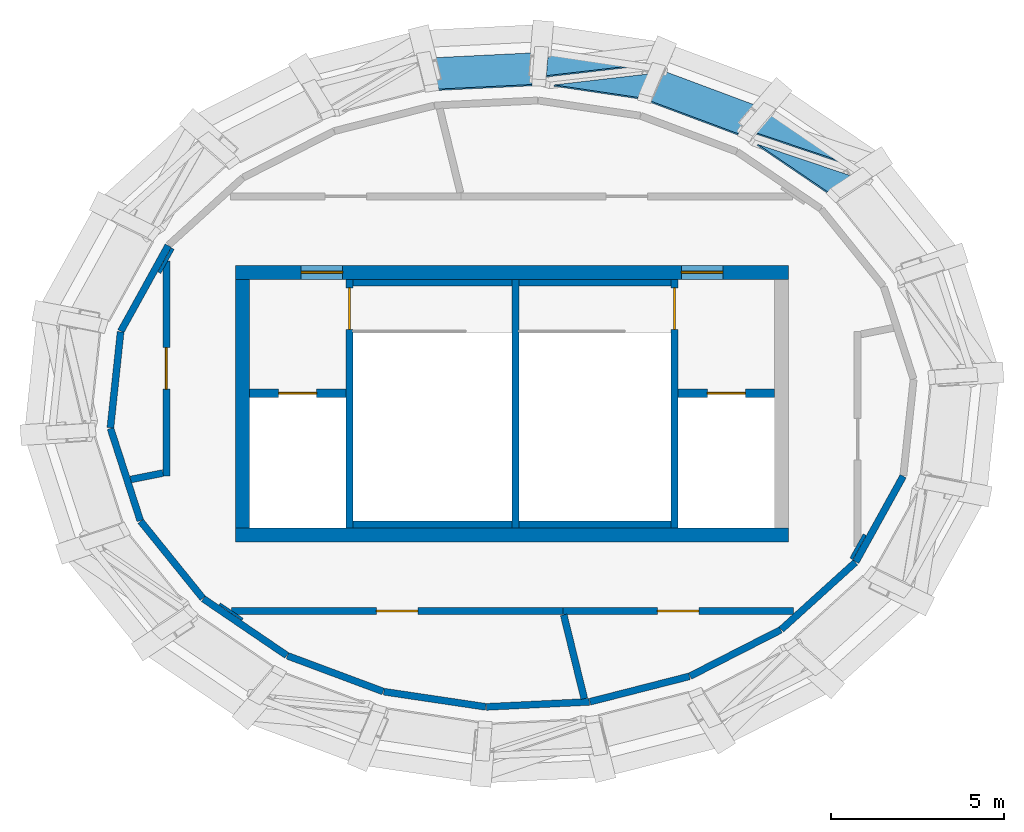
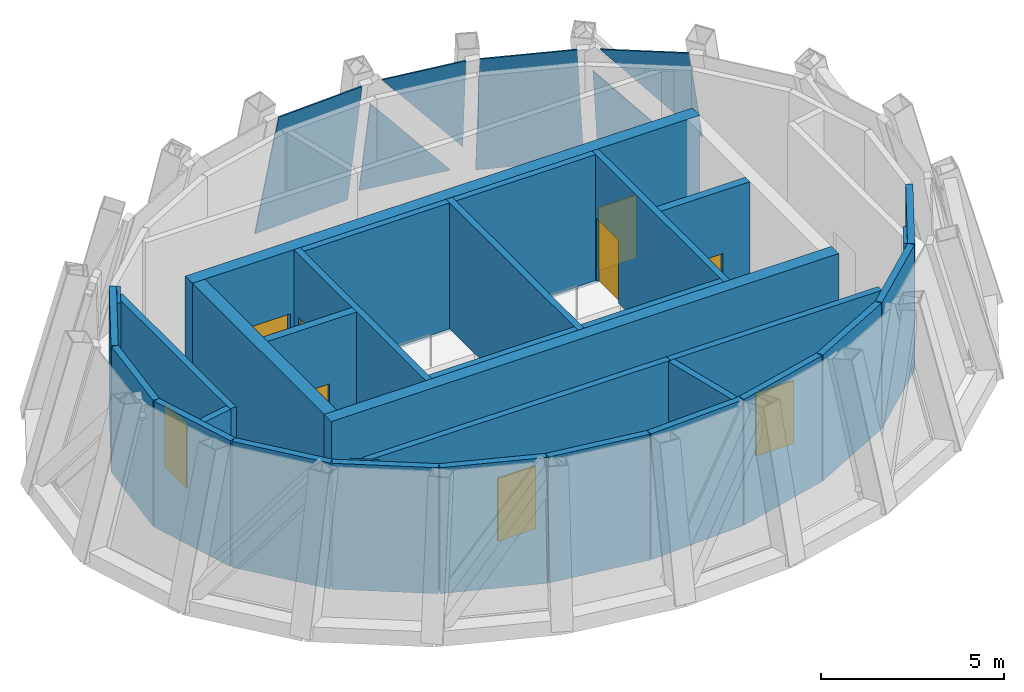
# One storey, part 4 of 6: 30 walls, 9 doors, 6 plates, 9 openings, 1 element without a shape of its own.
"""IFC4 building model written with IfcOpenShell, lengths in metres."""

from ifc_helpers import new_model, si_unit, direction, frame, frame_2d, origin, place, context, subcontext, project, spatial, polyline, rectangle, outline, extrude, source, transform, mapped, material, layer, layer_set, type_object, element, fill, aggregate, save


model = new_model("IFC4")

# Units and contexts
model_context = context("Model", 3, precision=1e-05, world=origin(), true_north=direction((0.0, 1.0)))
body_context = subcontext(model_context, "Body", "Model", "MODEL_VIEW")
ifc_project = project(units=[si_unit("LENGTHUNIT", "METRE"), si_unit("AREAUNIT", "SQUARE_METRE"), si_unit("VOLUMEUNIT", "CUBIC_METRE"), si_unit("PLANEANGLEUNIT", "RADIAN"), si_unit("MASSUNIT", "GRAM", prefix="KILO")], contexts=[model_context])

# Site, building, storey
site_placement = place(None, origin())
site = spatial("IfcSite", under=ifc_project, at=site_placement, CompositionType="ELEMENT")
building_placement = place(site_placement, origin())
building = spatial("IfcBuilding", under=site, at=building_placement, Name="Embergate Tower", CompositionType="ELEMENT")
storey_placement = place(building_placement, frame((0.0, 0.0, 370.0)))
storey = spatial("IfcBuildingStorey", under=building, at=storey_placement, Name="L84", CompositionType="ELEMENT", Elevation=370.0)

# Curtain wall, plates
ifc_material_1 = material(Name="Aluminium and glass", Category="aluminium")
curtain_wall_type = type_object("IfcCurtainWallType", Name="Crown facet glazing", PredefinedType="NOTDEFINED", material=ifc_material_1)
curtain_wall_placement = place(storey_placement, origin())
curtain_wall = element("IfcCurtainWall", 1, at=curtain_wall_placement, inside=storey, type_object=curtain_wall_type, Name="Crown facet glazing L84", ObjectType="CROWN FACET GLAZING", PredefinedType="USERDEFINED")
ifc_material_2 = material(Name="Triple glazing, low-emissivity coating", Category="glass")
ifc_layer_1 = layer(ifc_material_2, 0.0400390625)
ifc_layer_set_1 = layer_set([ifc_layer_1], Name="Triple glazing, low-emissivity coating")
plate_type = type_object("IfcPlateType", Name="Crown facet glazing unit", PredefinedType="CURTAIN_PANEL", material=ifc_layer_set_1)
shared_shape_1 = source(origin(), body_context, "Body", "SweptSolid", [
    extrude(outline(polyline([(0.0, 0.0), (2.658935546875, 0.0), (2.7421875, 3.4091796875), (0.0, 0.0)])), origin(), (0.0, 0.0, -1.0), 0.0400390625),
])
plate_1_placement = place(storey_placement, frame((9.769287109375, 6.925537109375, 0.148193359375), z_axis=(0.548104233355, 0.805825081039, 0.22411534563), x_axis=(-0.826858181918, 0.562410479095, 0.0)))
plate_1 = element("IfcPlate", 2, at=plate_1_placement, type_object=plate_type, Name="CW panel 3.1", PredefinedType="CURTAIN_PANEL", context=body_context, shape_type="MappedRepresentation", body=[
    mapped(shared_shape_1, transform((0.0, 0.0, 0.0))),
])
shared_shape_2 = source(origin(), body_context, "Body", "SweptSolid", [
    extrude(outline(polyline([(0.0, 0.0), (4.390869140625, 0.0), (2.862548828125, 1.900146484375), (0.0, 0.0)])), origin(), (0.0, 0.0, -1.0), 0.0400390625),
])
plate_2_placement = place(storey_placement, frame((9.819580078125, 6.58935546875, 1.0341796875), z_axis=(0.547913658666, 0.806013681315, 0.223903032984), x_axis=(-0.616419043189, 0.208067838681, 0.759430930171)))
plate_2 = element("IfcPlate", 3, at=plate_2_placement, type_object=plate_type, Name="CW panel 3.2", PredefinedType="CURTAIN_PANEL", context=body_context, shape_type="MappedRepresentation", body=[
    mapped(shared_shape_2, transform((0.0, 0.0, 0.0))),
])
shared_shape_3 = source(origin(), body_context, "Body", "SweptSolid", [
    extrude(outline(polyline([(0.0, 0.0), (2.9990234375, 0.0), (3.042236328125, 4.456298828125), (0.343994140625, 4.456298828125), (0.0, 0.0)])), origin(), (0.0, 0.0, -1.0), 0.0400390625),
])
plate_3_placement = place(storey_placement, frame((7.208740234375, 8.572509765625, 0.016357421875), z_axis=(0.341645847231, 0.915522098768, 0.212361488356), x_axis=(-0.936891272849, 0.349620855859, -2.858588e-06)))
plate_3 = element("IfcPlate", 4, at=plate_3_placement, type_object=plate_type, Name="CW panel 4.1", PredefinedType="CURTAIN_PANEL", context=body_context, shape_type="MappedRepresentation", body=[
    mapped(shared_shape_3, transform((0.0, 0.0, 0.0))),
])
shared_shape_4 = source(origin(), body_context, "Body", "SweptSolid", [
    extrude(outline(polyline([(0.0, 0.0), (2.671875, 0.0), (2.625244140625, 3.426025390625), (0.0, 0.0)])), origin(), (0.0, 0.0, -1.0), 0.0400390625),
])
plate_4_placement = place(storey_placement, frame((3.6953125, 9.801513671875, 0.147216796875), z_axis=(0.144313097842, 0.967809771401, 0.206198875292), x_axis=(-0.989064668157, 0.147482481006, 0.0)))
plate_4 = element("IfcPlate", 5, at=plate_4_placement, type_object=plate_type, Name="CW panel 5.1", PredefinedType="CURTAIN_PANEL", context=body_context, shape_type="MappedRepresentation", body=[
    mapped(shared_shape_4, transform((0.0, 0.0, 0.0))),
])
shared_shape_5 = source(origin(), body_context, "Body", "SweptSolid", [
    extrude(outline(polyline([(0.0, 0.0), (4.3525390625, 0.0), (2.855224609375, 1.953857421875), (0.0, 0.0)])), origin(), (0.0, 0.0, -1.0), 0.0400390625),
])
plate_5_placement = place(storey_placement, frame((3.93896484375, 9.53759765625, 0.996826171875), z_axis=(0.144212445835, 0.967853783522, 0.206062670535), x_axis=(-0.625711336058, -0.072134897191, 0.776712225046)))
plate_5 = element("IfcPlate", 6, at=plate_5_placement, type_object=plate_type, Name="CW panel 5.2", PredefinedType="CURTAIN_PANEL", context=body_context, shape_type="MappedRepresentation", body=[
    mapped(shared_shape_5, transform((0.0, 0.0, 0.0))),
])
shared_shape_6 = source(origin(), body_context, "Body", "SweptSolid", [
    extrude(outline(polyline([(0.0, 0.0), (3.009033203125, 0.0), (2.82861328125, 4.45263671875), (0.120361328125, 4.452880859375), (0.0, 0.0)])), origin(), (0.0, 0.0, -1.0), 0.0400390625),
])
plate_6_placement = place(storey_placement, frame((0.656982421875, 10.15234375, 0.010498046875), z_axis=(-0.047908858421, 0.977605032581, 0.204922281751), x_axis=(-0.998801391899, -0.048946700831, -4.359776e-06)))
plate_6 = element("IfcPlate", 7, at=plate_6_placement, type_object=plate_type, Name="CW panel 6.1", PredefinedType="CURTAIN_PANEL", context=body_context, shape_type="MappedRepresentation", body=[
    mapped(shared_shape_6, transform((0.0, 0.0, 0.0))),
])
aggregate(curtain_wall, [plate_1, plate_2, plate_3, plate_4, plate_5, plate_6])

# Wall, openings, doors
ifc_material_3 = material(Name="Concrete C50", Category="concrete")
ifc_layer_2 = layer(ifc_material_3, 0.39990234375)
ifc_layer_set_2 = layer_set([ifc_layer_2], Name="Concrete C50")
wall_type_1 = type_object("IfcWallType", Name="Core outer wall C50 400", PredefinedType="SHEAR", material=ifc_layer_set_2)
shared_shape_7 = source(origin(), body_context, "Body", "SweptSolid", [
    extrude(rectangle(XDim=16.0, YDim=0.39990234375, at=frame_2d((8.0, 0.0))), origin(), (0.0, 0.0, 1.0), 4.449951171875),
])
wall_1_placement = place(storey_placement, frame((-8.0, 3.800048828125, -0.25), z_axis=(0.0, 0.0, 1.0), x_axis=(1.0, 0.0, 0.0)))
wall_1 = element("IfcWall", 8, at=wall_1_placement, inside=storey, type_object=wall_type_1, Name="CW-L84-N", PredefinedType="SHEAR", context=body_context, shape_type="MappedRepresentation", body=[
    mapped(shared_shape_7, transform((0.0, 0.0, 0.0))),
])
shared_shape_8 = source(origin(), body_context, "Body", "SweptSolid", [
    extrude(rectangle(XDim=1.199951171875, YDim=2.10009765625, at=frame_2d((0.60009765625, 1.050048828125))), frame((0.0, 0.2099609375, 0.0), z_axis=(0.0, -1.0, 0.0), x_axis=(1.0, 0.0, 0.0)), (0.0, 0.0, 1.0), 0.419921875),
])
opening_1_placement = place(wall_1_placement, frame((12.89990234375, 0.0, 0.25)))
opening_1 = element("IfcOpeningElement", 9, at=opening_1_placement, cuts=wall_1, Name="Opening IF-1", PredefinedType="OPENING", context=body_context, shape_type="MappedRepresentation", body=[
    mapped(shared_shape_8, transform((0.0, 0.0, 0.0))),
])
opening_2_placement = place(wall_1_placement, frame((1.89990234375, 0.0, 0.25)))
opening_2 = element("IfcOpeningElement", 10, at=opening_2_placement, cuts=wall_1, Name="Opening IF-1", PredefinedType="OPENING", context=body_context, shape_type="MappedRepresentation", body=[
    mapped(shared_shape_8, transform((0.0, 0.0, 0.0))),
])
ifc_material_4 = material(Name="Escape fire door 1200")
door_type_1 = type_object("IfcDoorType", Name="Escape fire door 1200", OperationType="SINGLE_SWING_LEFT", PredefinedType="DOOR", material=ifc_material_4)
shared_shape_9 = source(origin(), body_context, "Body", "SweptSolid", [
    extrude(rectangle(XDim=1.199951171875, YDim=2.10009765625, at=frame_2d((0.60009765625, 1.050048828125))), frame((0.0, 0.02490234375, 0.0), z_axis=(0.0, -1.0, 0.0), x_axis=(1.0, 0.0, 0.0)), (0.0, 0.0, 1.0), 0.050048828125),
])
door_1_placement = place(opening_1_placement, origin())
door_1 = element("IfcDoor", 11, at=door_1_placement, inside=storey, type_object=door_type_1, Name="IF-1 door", OperationType="SINGLE_SWING_LEFT", OverallHeight=2.10009765625, OverallWidth=1.199951171875, PredefinedType="DOOR", context=body_context, shape_type="MappedRepresentation", body=[
    mapped(shared_shape_9, transform((0.0, 0.0, 0.0))),
])
fill(opening_1, door_1)
door_2_placement = place(opening_2_placement, origin())
door_2 = element("IfcDoor", 12, at=door_2_placement, inside=storey, type_object=door_type_1, Name="IF-1 door", OperationType="SINGLE_SWING_LEFT", OverallHeight=2.10009765625, OverallWidth=1.199951171875, PredefinedType="DOOR", context=body_context, shape_type="MappedRepresentation", body=[
    mapped(shared_shape_9, transform((0.0, 0.0, 0.0))),
])
fill(opening_2, door_2)

# Walls
wall_2_placement = place(storey_placement, frame((-8.0, -3.800048828125, -0.25), z_axis=(0.0, 0.0, 1.0), x_axis=(1.0, 0.0, 0.0)))
element("IfcWall", 13, at=wall_2_placement, inside=storey, type_object=wall_type_1, Name="CW-L84-S", PredefinedType="SHEAR", context=body_context, shape_type="MappedRepresentation", body=[
    mapped(shared_shape_7, transform((0.0, 0.0, 0.0))),
])
shared_shape_10 = source(origin(), body_context, "Body", "SweptSolid", [
    extrude(rectangle(XDim=7.2001953125, YDim=0.39990234375, at=frame_2d((3.60009765625, 0.0))), origin(), (0.0, 0.0, 1.0), 4.449951171875),
])
wall_3_placement = place(storey_placement, frame((-7.800048828125, -3.60009765625, -0.25), z_axis=(0.0, 0.0, 1.0), x_axis=(0.0, 1.0, 0.0)))
element("IfcWall", 14, at=wall_3_placement, inside=storey, type_object=wall_type_1, Name="CW-L84-W", PredefinedType="SHEAR", context=body_context, shape_type="MappedRepresentation", body=[
    mapped(shared_shape_10, transform((0.0, 0.0, 0.0))),
])
ifc_material_5 = material(Name="Terracotta louvre cladding on insulated backing", Category="masonry")
ifc_layer_3 = layer(ifc_material_5, 0.199951171875)
ifc_layer_set_3 = layer_set([ifc_layer_3], Name="Terracotta louvre cladding on insulated backing")
wall_type_2 = type_object("IfcWallType", Name="Terracotta louvre wall", PredefinedType="SOLIDWALL", material=ifc_layer_set_3)
shared_shape_11 = source(origin(), body_context, "Body", "SweptSolid", [
    extrude(rectangle(XDim=2.86328125, YDim=0.199951171875, at=frame_2d((1.431640625, 0.0))), origin(), (0.0, 0.0, 1.0), 4.199951171875),
])
wall_4_placement = place(storey_placement, frame((-8.9453125, -5.628662109375, 0.0), z_axis=(0.0, 0.0, 1.0), x_axis=(-0.628223975098, 0.77803254245, 0.0)))
element("IfcWall", 15, at=wall_4_placement, inside=storey, type_object=wall_type_2, Name="Crown louvre wall 12", PredefinedType="SOLIDWALL", context=body_context, shape_type="MappedRepresentation", body=[
    mapped(shared_shape_11, transform((0.0, 0.0, 0.0))),
])
shared_shape_12 = source(origin(), body_context, "Body", "SweptSolid", [
    extrude(rectangle(XDim=2.920166015625, YDim=0.199951171875, at=frame_2d((1.4599609375, 0.0))), origin(), (0.0, 0.0, 1.0), 4.199951171875),
])
wall_5_placement = place(storey_placement, frame((-6.515869140625, -7.28369140625, 0.0), z_axis=(0.0, 0.0, 1.0), x_axis=(-0.827026010812, 0.562163657168, 0.0)))
element("IfcWall", 16, at=wall_5_placement, inside=storey, type_object=wall_type_2, Name="Crown louvre wall 13", PredefinedType="SOLIDWALL", context=body_context, shape_type="MappedRepresentation", body=[
    mapped(shared_shape_12, transform((0.0, 0.0, 0.0))),
])
shared_shape_13 = source(origin(), body_context, "Body", "SweptSolid", [
    extrude(rectangle(XDim=2.95849609375, YDim=0.199951171875, at=frame_2d((1.479248046875, 0.0))), origin(), (0.0, 0.0, 1.0), 4.199951171875),
])
wall_6_placement = place(storey_placement, frame((-3.726318359375, -8.326904296875, 0.0), z_axis=(0.0, 0.0, 1.0), x_axis=(-0.936917921025, 0.349549437508, 0.0)))
element("IfcWall", 17, at=wall_6_placement, inside=storey, type_object=wall_type_2, Name="Crown louvre wall 14", PredefinedType="SOLIDWALL", context=body_context, shape_type="MappedRepresentation", body=[
    mapped(shared_shape_13, transform((0.0, 0.0, 0.0))),
])
shared_shape_14 = source(origin(), body_context, "Body", "SweptSolid", [
    extrude(rectangle(XDim=2.978271484375, YDim=0.199951171875, at=frame_2d((1.4892578125, 0.0))), origin(), (0.0, 0.0, 1.0), 4.199951171875),
])
wall_7_placement = place(storey_placement, frame((-0.760986328125, -8.77099609375, 0.0), z_axis=(0.0, 0.0, 1.0), x_axis=(-0.989067040899, 0.147466567759, 0.0)))
element("IfcWall", 18, at=wall_7_placement, inside=storey, type_object=wall_type_2, Name="Crown louvre wall 15", PredefinedType="SOLIDWALL", context=body_context, shape_type="MappedRepresentation", body=[
    mapped(shared_shape_14, transform((0.0, 0.0, 0.0))),
])
shared_shape_15 = source(origin(), body_context, "Body", "SweptSolid", [
    extrude(rectangle(XDim=2.981201171875, YDim=0.199951171875, at=frame_2d((1.49072265625, 0.0))), origin(), (0.0, 0.0, 1.0), 4.199951171875),
])
wall_8_placement = place(storey_placement, frame((2.236328125, -8.626708984375, 0.0), z_axis=(0.0, 0.0, 1.0), x_axis=(-0.998812059487, -0.048728531928, 0.0)))
element("IfcWall", 19, at=wall_8_placement, inside=storey, type_object=wall_type_2, Name="Crown louvre wall 16", PredefinedType="SOLIDWALL", context=body_context, shape_type="MappedRepresentation", body=[
    mapped(shared_shape_15, transform((0.0, 0.0, 0.0))),
])
shared_shape_16 = source(origin(), body_context, "Body", "SweptSolid", [
    extrude(rectangle(XDim=2.970458984375, YDim=0.199951171875, at=frame_2d((1.4853515625, 0.0))), origin(), (0.0, 0.0, 1.0), 4.199951171875),
])
wall_9_placement = place(storey_placement, frame((5.134033203125, -7.88818359375, 0.0), z_axis=(0.0, 0.0, 1.0), x_axis=(-0.968872424501, -0.247560548235, 0.0)))
element("IfcWall", 20, at=wall_9_placement, inside=storey, type_object=wall_type_2, Name="Crown louvre wall 17", PredefinedType="SOLIDWALL", context=body_context, shape_type="MappedRepresentation", body=[
    mapped(shared_shape_16, transform((0.0, 0.0, 0.0))),
])
shared_shape_17 = source(origin(), body_context, "Body", "SweptSolid", [
    extrude(rectangle(XDim=2.94189453125, YDim=0.199951171875, at=frame_2d((1.470947265625, 0.0))), origin(), (0.0, 0.0, 1.0), 4.199951171875),
])
wall_10_placement = place(storey_placement, frame((7.773193359375, -6.544189453125, 0.0), z_axis=(0.0, 0.0, 1.0), x_axis=(-0.890779694992, -0.454435402439, 0.0)))
element("IfcWall", 21, at=wall_10_placement, inside=storey, type_object=wall_type_2, Name="Crown louvre wall 18", PredefinedType="SOLIDWALL", context=body_context, shape_type="MappedRepresentation", body=[
    mapped(shared_shape_17, transform((0.0, 0.0, 0.0))),
])
shared_shape_18 = source(origin(), body_context, "Body", "SweptSolid", [
    extrude(rectangle(XDim=2.893798828125, YDim=0.199951171875, at=frame_2d((1.44677734375, 0.0))), origin(), (0.0, 0.0, 1.0), 4.199951171875),
])
wall_11_placement = place(storey_placement, frame((9.93408203125, -4.590087890625, 0.0), z_axis=(0.0, 0.0, 1.0), x_axis=(-0.741091893943, -0.671403607923, 0.0)))
element("IfcWall", 22, at=wall_11_placement, inside=storey, type_object=wall_type_2, Name="Crown louvre wall 19", PredefinedType="SOLIDWALL", context=body_context, shape_type="MappedRepresentation", body=[
    mapped(shared_shape_18, transform((0.0, 0.0, 0.0))),
])
shared_shape_19 = source(origin(), body_context, "Body", "SweptSolid", [
    extrude(rectangle(XDim=2.83203125, YDim=0.199951171875, at=frame_2d((1.416015625, 0.0))), origin(), (0.0, 0.0, 1.0), 4.199951171875),
])
for number, where, z_axis, x_axis, name in (
    (23, (-11.317138671875, 2.0966796875, 0.0), (0.0, 0.0, 1.0), (0.484068407446, 0.875030157716, 0.0), "Crown louvre wall 9"),
    (24, (11.317138671875, -2.0966796875, 0.0), (0.0, 0.0, 1.0), (-0.484068407446, -0.875030157716, 0.0), "Crown louvre wall 20"),
):
    element("IfcWall", number, at=place(storey_placement, frame(where, z_axis=z_axis, x_axis=x_axis)), inside=storey, type_object=wall_type_2, Name=name, PredefinedType="SOLIDWALL", context=body_context, shape_type="MappedRepresentation", body=[
        mapped(shared_shape_19, transform((0.0, 0.0, 0.0))),
    ])
shared_shape_20 = source(origin(), body_context, "Body", "SweptSolid", [
    extrude(rectangle(XDim=2.789306640625, YDim=0.199951171875, at=frame_2d((1.39453125, 0.0))), origin(), (0.0, 0.0, 1.0), 4.199951171875),
])
wall_12_placement = place(storey_placement, frame((-11.6181640625, -0.695556640625, 0.0), z_axis=(0.0, 0.0, 1.0), x_axis=(0.105819200095, 0.994385386503, 0.0)))
element("IfcWall", 25, at=wall_12_placement, inside=storey, type_object=wall_type_2, Name="Crown louvre wall 10", PredefinedType="SOLIDWALL", context=body_context, shape_type="MappedRepresentation", body=[
    mapped(shared_shape_20, transform((0.0, 0.0, 0.0))),
])
shared_shape_21 = source(origin(), body_context, "Body", "SweptSolid", [
    extrude(rectangle(XDim=2.804443359375, YDim=0.199951171875, at=frame_2d((1.40234375, 0.0))), origin(), (0.0, 0.0, 1.0), 4.199951171875),
])
wall_13_placement = place(storey_placement, frame((-10.753662109375, -3.383544921875, 0.0), z_axis=(0.0, 0.0, 1.0), x_axis=(-0.30756994526, 0.951525474579, 0.0)))
element("IfcWall", 26, at=wall_13_placement, inside=storey, type_object=wall_type_2, Name="Crown louvre wall 11", PredefinedType="SOLIDWALL", context=body_context, shape_type="MappedRepresentation", body=[
    mapped(shared_shape_21, transform((0.0, 0.0, 0.0))),
])
ifc_layer_4 = layer(ifc_material_3, 0.199951171875)
ifc_layer_set_4 = layer_set([ifc_layer_4], Name="Concrete C50")
wall_type_3 = type_object("IfcWallType", Name="Stair enclosure wall reinforced concrete 250", PredefinedType="SHEAR", material=ifc_layer_set_4)
shared_shape_22 = source(origin(), body_context, "Body", "SweptSolid", [
    extrude(rectangle(XDim=7.2001953125, YDim=0.199951171875, at=frame_2d((3.60009765625, 0.0))), origin(), (0.0, 0.0, 1.0), 4.199951171875),
])
wall_14_placement = place(storey_placement, frame((0.10009765625, 3.60009765625, 0.0), z_axis=(0.0, 0.0, 1.0), x_axis=(0.0, -1.0, 0.0)))
element("IfcWall", 27, at=wall_14_placement, inside=storey, type_object=wall_type_3, Name="SE-1 wall", PredefinedType="SHEAR", context=body_context, shape_type="MappedRepresentation", body=[
    mapped(shared_shape_22, transform((0.0, 0.0, 0.0))),
])

# Wall, opening, door
wall_15_placement = place(storey_placement, frame((4.699951171875, -3.60009765625, 0.0), z_axis=(0.0, 0.0, 1.0), x_axis=(0.0, 1.0, 0.0)))
wall_15 = element("IfcWall", 28, at=wall_15_placement, inside=storey, type_object=wall_type_3, Name="SE-1 wall", PredefinedType="SHEAR", context=body_context, shape_type="MappedRepresentation", body=[
    mapped(shared_shape_22, transform((0.0, 0.0, 0.0))),
])
shared_shape_23 = source(origin(), body_context, "Body", "SweptSolid", [
    extrude(rectangle(XDim=1.199951171875, YDim=2.10009765625, at=frame_2d((0.60009765625, 1.050048828125))), frame((0.0, 0.10986328125, 0.0), z_axis=(0.0, -1.0, 0.0), x_axis=(1.0, 0.0, 0.0)), (0.0, 0.0, 1.0), 0.219970703125),
])
opening_3_placement = place(wall_15_placement, frame((5.75, 0.0, 0.0)))
opening_3 = element("IfcOpeningElement", 29, at=opening_3_placement, cuts=wall_15, Name="Opening IF-2", PredefinedType="OPENING", context=body_context, shape_type="MappedRepresentation", body=[
    mapped(shared_shape_23, transform((0.0, 0.0, 0.0))),
])
ifc_material_6 = material(Name="Stair enclosure door 1200")
door_type_2 = type_object("IfcDoorType", Name="Stair enclosure door 1200", OperationType="SINGLE_SWING_LEFT", PredefinedType="DOOR", material=ifc_material_6)
door_3_placement = place(opening_3_placement, origin())
door_3 = element("IfcDoor", 30, at=door_3_placement, inside=storey, type_object=door_type_2, Name="IF-2 door", OperationType="SINGLE_SWING_RIGHT", OverallHeight=2.10009765625, OverallWidth=1.199951171875, PredefinedType="DOOR", context=body_context, shape_type="MappedRepresentation", body=[
    mapped(shared_shape_9, transform((0.0, 0.0, 0.0))),
])
fill(opening_3, door_3)

wall_16_placement = place(storey_placement, frame((-4.699951171875, 3.60009765625, 0.0), z_axis=(0.0, 0.0, 1.0), x_axis=(0.0, -1.0, 0.0)))
wall_16 = element("IfcWall", 31, at=wall_16_placement, inside=storey, type_object=wall_type_3, Name="SE-1 wall", PredefinedType="SHEAR", context=body_context, shape_type="MappedRepresentation", body=[
    mapped(shared_shape_22, transform((0.0, 0.0, 0.0))),
])
opening_4_placement = place(wall_16_placement, frame((0.25, 0.0, 0.0)))
opening_4 = element("IfcOpeningElement", 32, at=opening_4_placement, cuts=wall_16, Name="Opening IF-2", PredefinedType="OPENING", context=body_context, shape_type="MappedRepresentation", body=[
    mapped(shared_shape_23, transform((0.0, 0.0, 0.0))),
])
door_4_placement = place(opening_4_placement, origin())
door_4 = element("IfcDoor", 33, at=door_4_placement, inside=storey, type_object=door_type_2, Name="IF-2 door", OperationType="SINGLE_SWING_LEFT", OverallHeight=2.10009765625, OverallWidth=1.199951171875, PredefinedType="DOOR", context=body_context, shape_type="MappedRepresentation", body=[
    mapped(shared_shape_9, transform((0.0, 0.0, 0.0))),
])
fill(opening_4, door_4)

ifc_layer_5 = layer(ifc_material_3, 0.25)
ifc_layer_set_5 = layer_set([ifc_layer_5], Name="Concrete C50")
wall_type_4 = type_object("IfcWallType", Name="Hoistway wall reinforced concrete 250", PredefinedType="SHEAR", material=ifc_layer_set_5)
shared_shape_24 = source(origin(), body_context, "Body", "SweptSolid", [
    extrude(rectangle(XDim=2.800048828125, YDim=0.25, at=frame_2d((1.39990234375, 0.0))), origin(), (0.0, 0.0, 1.0), 4.199951171875),
])
wall_17_placement = place(storey_placement, frame((7.60009765625, 0.300048828125, 0.0), z_axis=(0.0, 0.0, 1.0), x_axis=(-1.0, 0.0, 0.0)))
wall_17 = element("IfcWall", 34, at=wall_17_placement, inside=storey, type_object=wall_type_4, Name="HW-1 wall", PredefinedType="SHEAR", context=body_context, shape_type="MappedRepresentation", body=[
    mapped(shared_shape_24, transform((0.0, 0.0, 0.0))),
])
shared_shape_25 = source(origin(), body_context, "Body", "SweptSolid", [
    extrude(rectangle(XDim=1.10009765625, YDim=2.10009765625, at=frame_2d((0.550048828125, 1.050048828125))), frame((0.0, 0.135009765625, 0.0), z_axis=(0.0, -1.0, 0.0), x_axis=(1.0, 0.0, 0.0)), (0.0, 0.0, 1.0), 0.27001953125),
])
opening_5_placement = place(wall_17_placement, frame((0.85009765625, 0.0, 0.0)))
opening_5 = element("IfcOpeningElement", 35, at=opening_5_placement, cuts=wall_17, Name="Opening LD", PredefinedType="OPENING", context=body_context, shape_type="MappedRepresentation", body=[
    mapped(shared_shape_25, transform((0.0, 0.0, 0.0))),
])
ifc_material_7 = material(Name="Landing door sliding 1100")
door_type_3 = type_object("IfcDoorType", Name="Landing door sliding 1100", OperationType="SLIDING_TO_LEFT", PredefinedType="DOOR", material=ifc_material_7)
shared_shape_26 = source(origin(), body_context, "Body", "SweptSolid", [
    extrude(rectangle(XDim=1.10009765625, YDim=2.10009765625, at=frame_2d((0.550048828125, 1.050048828125))), frame((0.0, 0.02490234375, 0.0), z_axis=(0.0, -1.0, 0.0), x_axis=(1.0, 0.0, 0.0)), (0.0, 0.0, 1.0), 0.050048828125),
])
door_5_placement = place(opening_5_placement, origin())
door_5 = element("IfcDoor", 36, at=door_5_placement, inside=storey, type_object=door_type_3, Name="LD door", OperationType="SLIDING_TO_LEFT", OverallHeight=2.10009765625, OverallWidth=1.10009765625, PredefinedType="DOOR", context=body_context, shape_type="MappedRepresentation", body=[
    mapped(shared_shape_26, transform((0.0, 0.0, 0.0))),
])
fill(opening_5, door_5)

wall_18_placement = place(storey_placement, frame((-4.800048828125, 0.300048828125, 0.0), z_axis=(0.0, 0.0, 1.0), x_axis=(-1.0, 0.0, 0.0)))
wall_18 = element("IfcWall", 37, at=wall_18_placement, inside=storey, type_object=wall_type_4, Name="HW-1 wall", PredefinedType="SHEAR", context=body_context, shape_type="MappedRepresentation", body=[
    mapped(shared_shape_24, transform((0.0, 0.0, 0.0))),
])
opening_6_placement = place(wall_18_placement, frame((0.85009765625, 0.0, 0.0)))
opening_6 = element("IfcOpeningElement", 38, at=opening_6_placement, cuts=wall_18, Name="Opening LD", PredefinedType="OPENING", context=body_context, shape_type="MappedRepresentation", body=[
    mapped(shared_shape_25, transform((0.0, 0.0, 0.0))),
])
door_6_placement = place(opening_6_placement, origin())
door_6 = element("IfcDoor", 39, at=door_6_placement, inside=storey, type_object=door_type_3, Name="LD door", OperationType="SLIDING_TO_RIGHT", OverallHeight=2.10009765625, OverallWidth=1.10009765625, PredefinedType="DOOR", context=body_context, shape_type="MappedRepresentation", body=[
    mapped(shared_shape_26, transform((0.0, 0.0, 0.0))),
])
fill(opening_6, door_6)

# Walls
shared_shape_27 = source(origin(), body_context, "Body", "SweptSolid", [
    extrude(rectangle(XDim=9.59619140625, YDim=0.199951171875, at=frame_2d((4.798095703125, 0.0))), origin(), (0.0, 0.0, 1.0), 4.199951171875),
])
for number, where, z_axis, x_axis, name in (
    (40, (-4.798095703125, -3.5, 0.0), (0.0, 0.0, 1.0), (1.0, 0.0, 0.0), "SE-1 wall"),
    (41, (4.798095703125, 3.5, 0.0), (0.0, 0.0, 1.0), (-1.0, 0.0, 0.0), "SE-1 wall"),
):
    element("IfcWall", number, at=place(storey_placement, frame(where, z_axis=z_axis, x_axis=x_axis)), inside=storey, type_object=wall_type_3, Name=name, PredefinedType="SHEAR", context=body_context, shape_type="MappedRepresentation", body=[
        mapped(shared_shape_27, transform((0.0, 0.0, 0.0))),
    ])
ifc_material_8 = material(Name="Blockwork, plastered", Category="masonry")
ifc_layer_6 = layer(ifc_material_8, 0.199951171875)
ifc_layer_set_6 = layer_set([ifc_layer_6], Name="Blockwork, plastered")
wall_type_5 = type_object("IfcWallType", Name="Fire partition wall 200 block", PredefinedType="PARTITIONING", material=ifc_layer_set_6)
shared_shape_28 = source(origin(), body_context, "Body", "SweptSolid", [
    extrude(rectangle(XDim=0.953369140625, YDim=0.199951171875, at=frame_2d((0.4765625, 0.0))), origin(), (0.0, 0.0, 1.0), 4.199951171875),
])
wall_19_placement = place(storey_placement, frame((-10.097900390625, -2.007080078125, 0.0), z_axis=(0.0, 0.0, 1.0), x_axis=(-0.980777163818, -0.19513112241, 0.0)))
element("IfcWall", 42, at=wall_19_placement, inside=storey, type_object=wall_type_5, Name="Partition 001", PredefinedType="PARTITIONING", context=body_context, shape_type="MappedRepresentation", body=[
    mapped(shared_shape_28, transform((0.0, 0.0, 0.0))),
])

# Wall, opening, door
shared_shape_29 = source(origin(), body_context, "Body", "SweptSolid", [
    extrude(rectangle(XDim=6.219970703125, YDim=0.199951171875, at=frame_2d((3.10986328125, 0.0))), origin(), (0.0, 0.0, 1.0), 4.199951171875),
])
wall_20_placement = place(storey_placement, frame((-10.0, -2.087890625, 0.0), z_axis=(0.0, 0.0, 1.0), x_axis=(0.0, 1.0, 0.0)))
wall_20 = element("IfcWall", 43, at=wall_20_placement, inside=storey, type_object=wall_type_5, Name="Partition 002", PredefinedType="PARTITIONING", context=body_context, shape_type="MappedRepresentation", body=[
    mapped(shared_shape_29, transform((0.0, 0.0, 0.0))),
])
opening_7_placement = place(wall_20_placement, frame((2.510009765625, 0.0, 0.0)))
opening_7 = element("IfcOpeningElement", 44, at=opening_7_placement, cuts=wall_20, Name="Opening DS-299", PredefinedType="OPENING", context=body_context, shape_type="MappedRepresentation", body=[
    mapped(shared_shape_23, transform((0.0, 0.0, 0.0))),
])
ifc_material_9 = material(Name="Timber door leaf, steel frame", Category="steel")
door_type_4 = type_object("IfcDoorType", Name="Plant door 1200x2100", OperationType="SINGLE_SWING_LEFT", PredefinedType="DOOR", material=ifc_material_9)
shared_shape_30 = source(origin(), body_context, "Body", "SweptSolid", [
    extrude(rectangle(XDim=1.199951171875, YDim=2.10009765625, at=frame_2d((0.60009765625, 1.050048828125))), frame((0.0, 0.02490234375, 0.0), z_axis=(0.0, -1.0, 0.0), x_axis=(1.0, 0.0, 0.0)), (0.0, 0.0, 1.0), 0.050048828125),
])
door_7_placement = place(opening_7_placement, origin())
door_7 = element("IfcDoor", 45, at=door_7_placement, inside=storey, type_object=door_type_4, Name="Door to Crown maintenance gantry store", OperationType="SINGLE_SWING_LEFT", OverallHeight=2.10009765625, OverallWidth=1.199951171875, PredefinedType="DOOR", context=body_context, shape_type="MappedRepresentation", body=[
    mapped(shared_shape_30, transform((0.0, 0.0, 0.0))),
])
fill(opening_7, door_7)

shared_shape_31 = source(origin(), body_context, "Body", "SweptSolid", [
    extrude(rectangle(XDim=6.677978515625, YDim=0.199951171875, at=frame_2d((3.3388671875, 0.0))), origin(), (0.0, 0.0, 1.0), 4.199951171875),
])
wall_21_placement = place(storey_placement, frame((8.14794921875, -6.0, 0.0), z_axis=(0.0, 0.0, 1.0), x_axis=(-1.0, 0.0, 0.0)))
wall_21 = element("IfcWall", 46, at=wall_21_placement, inside=storey, type_object=wall_type_5, Name="Partition 008", PredefinedType="PARTITIONING", context=body_context, shape_type="MappedRepresentation", body=[
    mapped(shared_shape_31, transform((0.0, 0.0, 0.0))),
])
opening_8_placement = place(wall_21_placement, frame((2.739013671875, 0.0, 0.0)))
opening_8 = element("IfcOpeningElement", 47, at=opening_8_placement, cuts=wall_21, Name="Opening DS-301", PredefinedType="OPENING", context=body_context, shape_type="MappedRepresentation", body=[
    mapped(shared_shape_23, transform((0.0, 0.0, 0.0))),
])
door_8_placement = place(opening_8_placement, origin())
door_8 = element("IfcDoor", 48, at=door_8_placement, inside=storey, type_object=door_type_4, Name="Door to Crown electrical plant room", OperationType="SINGLE_SWING_LEFT", OverallHeight=2.10009765625, OverallWidth=1.199951171875, PredefinedType="DOOR", context=body_context, shape_type="MappedRepresentation", body=[
    mapped(shared_shape_30, transform((0.0, 0.0, 0.0))),
])
fill(opening_8, door_8)

# Wall
shared_shape_32 = source(origin(), body_context, "Body", "SweptSolid", [
    extrude(rectangle(XDim=2.498779296875, YDim=0.199951171875, at=frame_2d((1.24951171875, 0.0))), origin(), (0.0, 0.0, 1.0), 4.199951171875),
])
wall_22_placement = place(storey_placement, frame((1.49609375, -6.10693359375, 0.0), z_axis=(0.0, 0.0, 1.0), x_axis=(0.238096332587, -0.971241543803, 0.0)))
element("IfcWall", 49, at=wall_22_placement, inside=storey, type_object=wall_type_5, Name="Partition 007", PredefinedType="PARTITIONING", context=body_context, shape_type="MappedRepresentation", body=[
    mapped(shared_shape_32, transform((0.0, 0.0, 0.0))),
])

# Wall, opening, door
shared_shape_33 = source(origin(), body_context, "Body", "SweptSolid", [
    extrude(rectangle(XDim=9.583984375, YDim=0.199951171875, at=frame_2d((4.7919921875, 0.0))), origin(), (0.0, 0.0, 1.0), 4.199951171875),
])
wall_23_placement = place(storey_placement, frame((1.469970703125, -6.0, 0.0), z_axis=(0.0, 0.0, 1.0), x_axis=(-1.0, 0.0, 0.0)))
wall_23 = element("IfcWall", 50, at=wall_23_placement, inside=storey, type_object=wall_type_5, Name="Partition 006", PredefinedType="PARTITIONING", context=body_context, shape_type="MappedRepresentation", body=[
    mapped(shared_shape_33, transform((0.0, 0.0, 0.0))),
])
opening_9_placement = place(wall_23_placement, frame((4.19189453125, 0.0, 0.0)))
opening_9 = element("IfcOpeningElement", 51, at=opening_9_placement, cuts=wall_23, Name="Opening DS-300", PredefinedType="OPENING", context=body_context, shape_type="MappedRepresentation", body=[
    mapped(shared_shape_23, transform((0.0, 0.0, 0.0))),
])
door_9_placement = place(opening_9_placement, origin())
door_9 = element("IfcDoor", 52, at=door_9_placement, inside=storey, type_object=door_type_4, Name="Door to Crown plant room", OperationType="SINGLE_SWING_LEFT", OverallHeight=2.10009765625, OverallWidth=1.199951171875, PredefinedType="DOOR", context=body_context, shape_type="MappedRepresentation", body=[
    mapped(shared_shape_30, transform((0.0, 0.0, 0.0))),
])
fill(opening_9, door_9)

# Walls
ifc_material_10 = material(Name="Plasterboard on steel stud", Category="steel")
ifc_layer_7 = layer(ifc_material_10, 0.14990234375)
ifc_layer_set_7 = layer_set([ifc_layer_7], Name="Plasterboard on steel stud")
wall_type_6 = type_object("IfcWallType", Name="Partition wall 150 board", PredefinedType="PARTITIONING", material=ifc_layer_set_7)
shared_shape_34 = source(origin(), body_context, "Body", "SweptSolid", [
    extrude(rectangle(XDim=0.7998046875, YDim=0.099609375, at=frame_2d((0.39990234375, 0.0))), origin(), (0.0, 0.0, 1.0), 4.199951171875),
])
for number, where, z_axis, x_axis, name in (
    (53, (-10.205078125, 3.7880859375, 0.0), (0.0, 0.0, 1.0), (0.483827639596, 0.875163307711, 0.0), "Partition 011"),
    (54, (10.205078125, -3.7880859375, 0.0), (0.0, 0.0, 1.0), (-0.483827639596, -0.875163307711, 0.0), "Partition 014"),
):
    element("IfcWall", number, at=place(storey_placement, frame(where, z_axis=z_axis, x_axis=x_axis)), inside=storey, type_object=wall_type_6, Name=name, PredefinedType="PARTITIONING", context=body_context, shape_type="MappedRepresentation", body=[
        mapped(shared_shape_34, transform((0.0, 0.0, 0.0))),
    ])
shared_shape_35 = source(origin(), body_context, "Body", "SweptSolid", [
    extrude(rectangle(XDim=0.800537109375, YDim=0.072509765625, at=frame_2d((0.400390625, 0.0))), origin(), (0.0, 0.0, 1.0), 4.199951171875),
])
wall_24_placement = place(storey_placement, frame((-7.794921875, -6.242919921875, 0.0), z_axis=(0.0, 0.0, 1.0), x_axis=(-0.827090966084, 0.562068086465, 0.0)))
element("IfcWall", 55, at=wall_24_placement, inside=storey, type_object=wall_type_6, Name="Partition 013", PredefinedType="PARTITIONING", context=body_context, shape_type="MappedRepresentation", body=[
    mapped(shared_shape_35, transform((0.0, 0.0, 0.0))),
])

save(model, "model.ifc")
